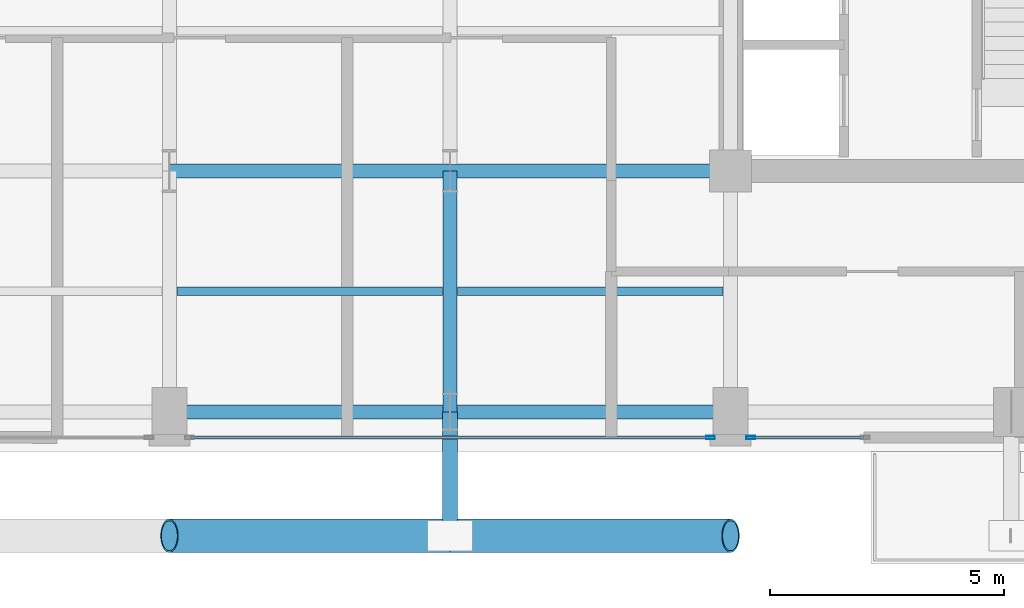
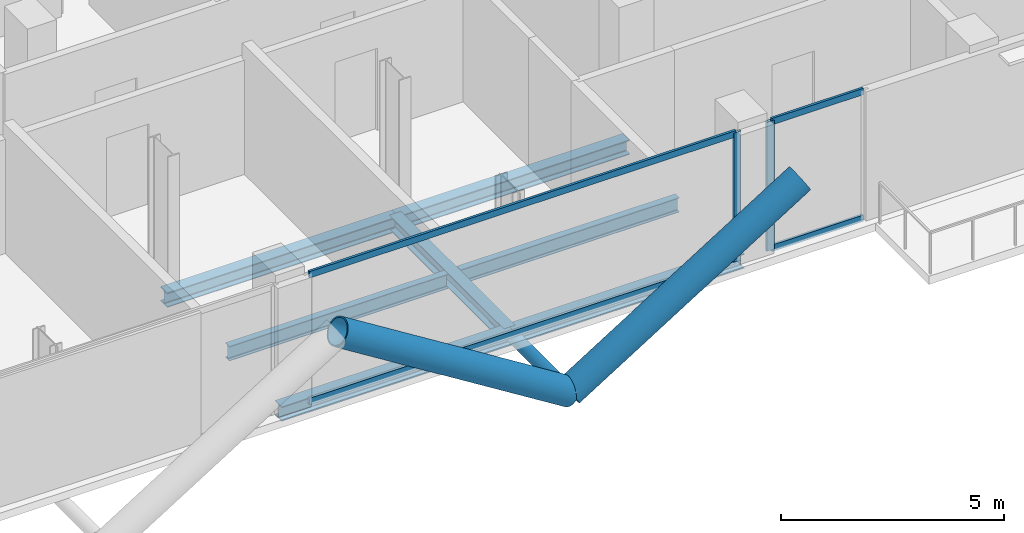
# One storey, part 4 of 26: 9 members, 7 beams, 2 elements without a shape of their own.
"""IFC4 building model written with IfcOpenShell, lengths in metres."""

from ifc_helpers import new_model, si_unit, direction, frame, origin, origin_2d, place, context, subcontext, project, spatial, hollow_rectangle, hollow_circle, i_section, extrude, material, layer, layer_set, material_profile, profile_set, type_object, element, aggregate, save


model = new_model("IFC4")

# Units and contexts
model_context = context("Model", 3, precision=1e-05, world=origin(), true_north=direction((0.0, 1.0)))
body_context = subcontext(model_context, "Body", "Model", "MODEL_VIEW")
ifc_project = project(units=[si_unit("LENGTHUNIT", "METRE"), si_unit("AREAUNIT", "SQUARE_METRE"), si_unit("VOLUMEUNIT", "CUBIC_METRE"), si_unit("PLANEANGLEUNIT", "RADIAN"), si_unit("MASSUNIT", "GRAM", prefix="KILO"), si_unit("THERMODYNAMICTEMPERATUREUNIT", "KELVIN"), si_unit("POWERUNIT", "WATT")], contexts=[model_context])

# Site, building, storey
site_placement = place(None, origin())
site = spatial("IfcSite", under=ifc_project, at=site_placement, CompositionType="ELEMENT")
building_placement = place(site_placement, origin())
building = spatial("IfcBuilding", under=site, at=building_placement, Name="Svarakhadi Broadcast Tower", CompositionType="ELEMENT")
storey_placement = place(building_placement, frame((0.0, 0.0, 180.449951171875)))
storey = spatial("IfcBuildingStorey", under=building, at=storey_placement, Name="L44", CompositionType="ELEMENT", Elevation=180.449951171875)

# Beams
ifc_material_1 = material(Name="Steel S355J2 (IS 2062 E350C)", Category="steel")
ifc_material_profile_1 = material_profile(ifc_material_1, i_section(OverallWidth=0.179931640625, OverallDepth=0.39990234375, WebThickness=0.008544921875, FlangeThickness=0.013427734375, FilletRadius=0.02099609375, at=origin_2d()), Name="NPB 400x180x66")
ifc_profile_set_1 = profile_set([ifc_material_profile_1], Name="Steel S355J2 (IS 2062 E350C)")
beam_type_1 = type_object("IfcBeamType", Name="Beam_NPB400", PredefinedType="BEAM", material=ifc_profile_set_1)
for number, where, z_axis, x_axis, name in (
    (1, (12.159912109375, 3.425048828125, -0.409912109375), (1.0, 0.0, 0.0), (0.0, 1.0, 0.0), "L44 Secondary Composite Beam SB009"),
    (2, (18.159912109375, 3.425048828125, -0.409912109375), (1.0, 0.0, 0.0), (0.0, 1.0, 0.0), "L44 Secondary Composite Beam SB013"),
):
    element("IfcBeam", number, at=place(storey_placement, frame(where, z_axis=z_axis, x_axis=x_axis)), inside=storey, type_object=beam_type_1, Name=name, PredefinedType="BEAM", context=body_context, shape_type="SweptSolid", body=[
        extrude(i_section(OverallWidth=0.179931640625, OverallDepth=0.39990234375, WebThickness=0.008544921875, FlangeThickness=0.013427734375, FilletRadius=0.02099609375, at=origin_2d()), origin(), (0.0, 0.0, 1.0), 5.68017578125),
    ])

# Curtain wall, member
ifc_material_2 = material(Name="Anodised Bronze Aluminium AA 6063-T6", Category="aluminium")
ifc_layer = layer(ifc_material_2, 0.18994140625)
ifc_layer_set = layer_set([ifc_layer], Name="Anodised Bronze Aluminium AA 6063-T6")
curtain_wall_type = type_object("IfcCurtainWallType", Name="CW_Sys_04", PredefinedType="NOTDEFINED", material=ifc_layer_set)
curtain_wall_1_placement = place(storey_placement, origin())
curtain_wall_1 = element("IfcCurtainWall", 3, at=curtain_wall_1_placement, inside=storey, type_object=curtain_wall_type, Name="L44 South Curtain Wall 17 Bay 1", PredefinedType="NOTDEFINED")
ifc_material_profile_2 = material_profile(ifc_material_2, hollow_rectangle(XDim=0.070068359375, YDim=0.18994140625, WallThickness=0.005615234375, at=origin_2d()), Name="ALU MULLION 190x70x6")
ifc_profile_set_2 = profile_set([ifc_material_profile_2], Name="Anodised Bronze Aluminium AA 6063-T6")
member_type_1 = type_object("IfcMemberType", Name="CW_Sys_04_Mul", PredefinedType="MULLION", material=ifc_profile_set_2)
member_1_placement = place(storey_placement, frame((24.429931640625, 0.300048828125, 0.0), z_axis=(0.0, 0.0, 1.0), x_axis=(0.0, -1.0, 0.0)))
member_1 = element("IfcMember", 4, at=member_1_placement, type_object=member_type_1, Name="CW-04 mullion 2", PredefinedType="MULLION", context=body_context, shape_type="SweptSolid", body=[
    extrude(hollow_rectangle(XDim=0.070068359375, YDim=0.18994140625, WallThickness=0.005615234375, at=origin_2d()), origin(), (0.0, 0.0, 1.0), 3.5400390625),
])

curtain_wall_2_placement = place(storey_placement, origin())
curtain_wall_2 = element("IfcCurtainWall", 5, at=curtain_wall_2_placement, inside=storey, type_object=curtain_wall_type, Name="L44 South Curtain Wall 17 Bay 2", PredefinedType="NOTDEFINED")
member_2_placement = place(storey_placement, frame((23.570068359375, 0.300048828125, 0.0), z_axis=(0.0, 0.0, 1.0), x_axis=(0.0, -1.0, 0.0)))
member_2 = element("IfcMember", 6, at=member_2_placement, type_object=member_type_1, Name="CW-04 mullion 1", PredefinedType="MULLION", context=body_context, shape_type="SweptSolid", body=[
    extrude(hollow_rectangle(XDim=0.070068359375, YDim=0.18994140625, WallThickness=0.005615234375, at=origin_2d()), origin(), (0.0, 0.0, 1.0), 3.5400390625),
])

# Member
ifc_material_profile_3 = material_profile(ifc_material_2, hollow_rectangle(XDim=0.06494140625, YDim=0.175048828125, WallThickness=0.0048828125, at=origin_2d()), Name="ALU TRANSOM 175x65x5")
ifc_profile_set_3 = profile_set([ifc_material_profile_3], Name="Anodised Bronze Aluminium AA 6063-T6")
member_type_2 = type_object("IfcMemberType", Name="CW_Sys_04_Trn", PredefinedType="USERDEFINED", material=ifc_profile_set_3)
member_3_placement = place(storey_placement, frame((26.840087890625, 0.300048828125, 0.032470703125), z_axis=(-1.0, 0.0, 0.0), x_axis=(0.0, -1.0, 0.0)))
member_3 = element("IfcMember", 7, at=member_3_placement, type_object=member_type_2, Name="CW-04 transom 1.1", ObjectType="TRANSOM", PredefinedType="USERDEFINED", context=body_context, shape_type="SweptSolid", body=[
    extrude(hollow_rectangle(XDim=0.06494140625, YDim=0.175048828125, WallThickness=0.0048828125, at=origin_2d()), origin(), (0.0, 0.0, 1.0), 2.375),
])

member_4_placement = place(storey_placement, frame((26.840087890625, 0.300048828125, 3.507568359375), z_axis=(-1.0, 0.0, 0.0), x_axis=(0.0, -1.0, 0.0)))
member_4 = element("IfcMember", 8, at=member_4_placement, type_object=member_type_2, Name="CW-04 transom 1.2", ObjectType="TRANSOM", PredefinedType="USERDEFINED", context=body_context, shape_type="SweptSolid", body=[
    extrude(hollow_rectangle(XDim=0.06494140625, YDim=0.175048828125, WallThickness=0.0048828125, at=origin_2d()), origin(), (0.0, 0.0, 1.0), 2.375),
])

aggregate(curtain_wall_1, [member_1, member_3, member_4])

member_5_placement = place(storey_placement, frame((23.534912109375, 0.300048828125, 0.032470703125), z_axis=(-1.0, 0.0, 0.0), x_axis=(0.0, -1.0, 0.0)))
member_5 = element("IfcMember", 9, at=member_5_placement, type_object=member_type_2, Name="CW-04 transom 1.1", ObjectType="TRANSOM", PredefinedType="USERDEFINED", context=body_context, shape_type="SweptSolid", body=[
    extrude(hollow_rectangle(XDim=0.06494140625, YDim=0.175048828125, WallThickness=0.0048828125, at=origin_2d()), origin(), (0.0, 0.0, 1.0), 11.06982421875),
])

member_6_placement = place(storey_placement, frame((23.534912109375, 0.300048828125, 3.507568359375), z_axis=(-1.0, 0.0, 0.0), x_axis=(0.0, -1.0, 0.0)))
member_6 = element("IfcMember", 10, at=member_6_placement, type_object=member_type_2, Name="CW-04 transom 1.2", ObjectType="TRANSOM", PredefinedType="USERDEFINED", context=body_context, shape_type="SweptSolid", body=[
    extrude(hollow_rectangle(XDim=0.06494140625, YDim=0.175048828125, WallThickness=0.0048828125, at=origin_2d()), origin(), (0.0, 0.0, 1.0), 11.06982421875),
])

aggregate(curtain_wall_2, [member_2, member_5, member_6])

# Members
ifc_material_3 = material(Name="Steel S460ML (IS 2062 E450BR)", Category="steel")
ifc_material_profile_4 = material_profile(ifc_material_3, hollow_circle(Radius=0.35546875, WallThickness=0.034912109375, at=origin_2d()), Name="CHS 711x35")
ifc_profile_set_4 = profile_set([ifc_material_profile_4], Name="Steel S460ML (IS 2062 E450BR)")
member_type_3 = type_object("IfcMemberType", Name="Exo_Brace_CHS711", PredefinedType="BRACE", material=ifc_profile_set_4)
for number, where, z_axis, x_axis, name in (
    (11, (18.0, -1.800048828125, -0.371826171875), (-0.847998304005, 0.0, 0.529998940003), (0.0, -1.0, 0.0), "L44 Exposed Bronze Exoskeleton Diagonal S02"),
    (12, (18.0, -1.800048828125, -0.371826171875), (0.847998304005, 0.0, 0.529998940003), (0.0, 1.0, 0.0), "L44 Exposed Bronze Exoskeleton Diagonal S03"),
):
    element("IfcMember", number, at=place(storey_placement, frame(where, z_axis=z_axis, x_axis=x_axis)), inside=storey, type_object=member_type_3, Name=name, PredefinedType="BRACE", context=body_context, shape_type="SweptSolid", body=[
        extrude(hollow_circle(Radius=0.35546875, WallThickness=0.034912109375, at=origin_2d()), origin(), (0.0, 0.0, 1.0), 7.075439453125),
    ])
ifc_material_profile_5 = material_profile(ifc_material_3, hollow_circle(Radius=0.161865234375, WallThickness=0.01611328125, at=origin_2d()), Name="CHS 323.9x16")
ifc_profile_set_5 = profile_set([ifc_material_profile_5], Name="Steel S460ML (IS 2062 E450BR)")
member_type_4 = type_object("IfcMemberType", Name="Exo_Radial_Strut_Z2", PredefinedType="STRUT", material=ifc_profile_set_5)
member_7_placement = place(storey_placement, frame((18.0, -1.800048828125, -0.371826171875), z_axis=(0.0, 1.0, 0.0), x_axis=(-1.0, 0.0, 0.0)))
element("IfcMember", 13, at=member_7_placement, inside=storey, type_object=member_type_4, Name="L44 Exoskeleton Radial Tie Strut S02", PredefinedType="STRUT", context=body_context, shape_type="SweptSolid", body=[
    extrude(hollow_circle(Radius=0.161865234375, WallThickness=0.01611328125, at=origin_2d()), origin(), (0.0, 0.0, 1.0), 2.650146484375),
])

# Beams
ifc_material_profile_6 = material_profile(ifc_material_1, i_section(OverallWidth=0.300048828125, OverallDepth=0.39990234375, WebThickness=0.013427734375, FlangeThickness=0.02392578125, FilletRadius=0.027099609375, at=origin_2d()), Name="WPB 400x300x155")
ifc_profile_set_6 = profile_set([ifc_material_profile_6], Name="Steel S355J2 (IS 2062 E350C)")
beam_type_2 = type_object("IfcBeamType", Name="Girder_WPB400", PredefinedType="USERDEFINED", material=ifc_profile_set_6)
for number, where, z_axis, x_axis, name in (
    (14, (12.0, 0.85009765625, -0.409912109375), (1.0, 0.0, 0.0), (0.0, 1.0, 0.0), "L44 Primary E-W Girder G005"),
    (15, (18.0, 0.85009765625, -0.409912109375), (1.0, 0.0, 0.0), (0.0, 1.0, 0.0), "L44 Primary E-W Girder G006"),
    (16, (12.0, 6.0, -0.409912109375), (1.0, 0.0, 0.0), (0.0, 1.0, 0.0), "L44 Primary E-W Girder G011"),
    (17, (18.0, 6.0, -0.409912109375), (1.0, 0.0, 0.0), (0.0, 1.0, 0.0), "L44 Primary E-W Girder G012"),
):
    element("IfcBeam", number, at=place(storey_placement, frame(where, z_axis=z_axis, x_axis=x_axis)), inside=storey, type_object=beam_type_2, Name=name, ObjectType="GIRDER", PredefinedType="USERDEFINED", context=body_context, shape_type="SweptSolid", body=[
        extrude(i_section(OverallWidth=0.300048828125, OverallDepth=0.39990234375, WebThickness=0.013427734375, FlangeThickness=0.02392578125, FilletRadius=0.027099609375, at=origin_2d()), origin(), (0.0, 0.0, 1.0), 6.0),
    ])
beam_placement = place(storey_placement, frame((18.0, 0.85009765625, -0.409912109375), z_axis=(0.0, 1.0, 0.0), x_axis=(-1.0, 0.0, 0.0)))
element("IfcBeam", 18, at=beam_placement, inside=storey, type_object=beam_type_2, Name="L44 Primary N-S Girder G046", ObjectType="GIRDER", PredefinedType="USERDEFINED", context=body_context, shape_type="SweptSolid", body=[
    extrude(i_section(OverallWidth=0.300048828125, OverallDepth=0.39990234375, WebThickness=0.013427734375, FlangeThickness=0.02392578125, FilletRadius=0.027099609375, at=origin_2d()), origin(), (0.0, 0.0, 1.0), 5.14990234375),
])

save(model, "model.ifc")
